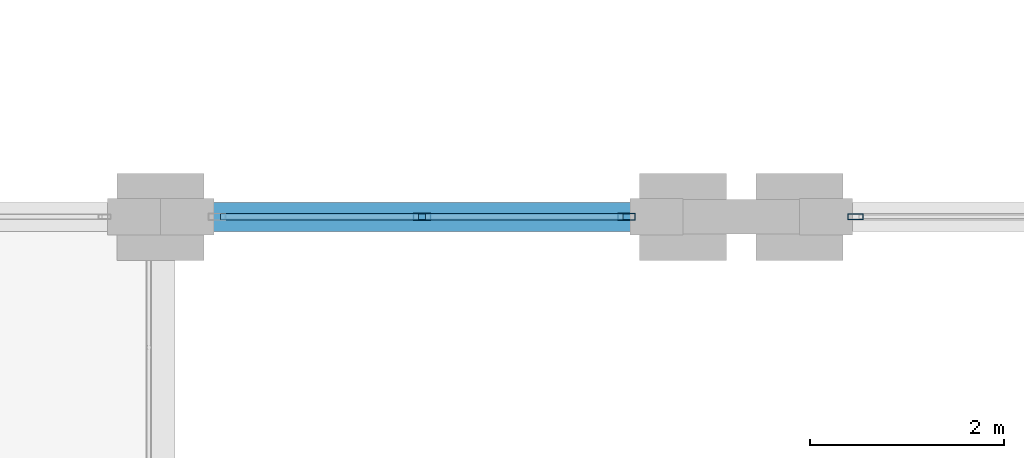
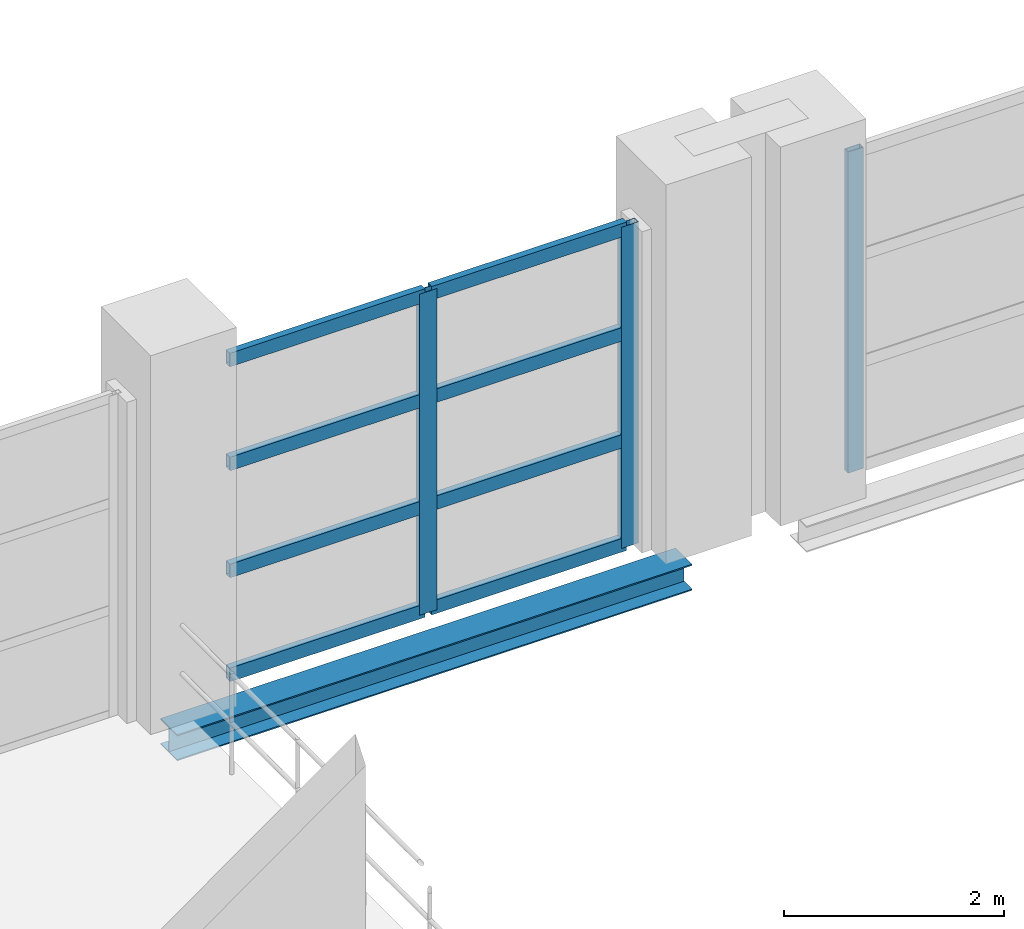
# One storey, part 52 of 158: 11 members, 1 beam, 2 elements without a shape of their own.
"""IFC4 building model written with IfcOpenShell, lengths in metres."""

from ifc_helpers import new_model, si_unit, direction, frame, origin, origin_2d, place, context, subcontext, project, spatial, hollow_rectangle, i_section, extrude, material, layer, layer_set, material_profile, profile_set, type_object, element, aggregate, save


model = new_model("IFC4")

# Units and contexts
model_context = context("Model", 3, precision=1e-05, world=origin(), true_north=direction((0.0, 1.0)))
body_context = subcontext(model_context, "Body", "Model", "MODEL_VIEW")
ifc_project = project(units=[si_unit("LENGTHUNIT", "METRE"), si_unit("AREAUNIT", "SQUARE_METRE"), si_unit("VOLUMEUNIT", "CUBIC_METRE"), si_unit("PLANEANGLEUNIT", "RADIAN"), si_unit("MASSUNIT", "GRAM", prefix="KILO")], contexts=[model_context])

# Site, building, storey
site_placement = place(None, origin())
site = spatial("IfcSite", under=ifc_project, at=site_placement, CompositionType="ELEMENT")
building_placement = place(site_placement, origin())
building = spatial("IfcBuilding", under=site, at=building_placement, Name="Zilviju Railside Exhibition Hall", CompositionType="ELEMENT")
storey_placement = place(building_placement, frame((0.0, 0.0, 4.199951171875)))
storey = spatial("IfcBuildingStorey", under=building, at=storey_placement, Name="L02", CompositionType="ELEMENT", Elevation=4.199951171875)

# Beam
ifc_material_1 = material(Name="Steel S355J2", Category="steel")
ifc_material_profile_1 = material_profile(ifc_material_1, i_section(OverallWidth=0.300048828125, OverallDepth=0.2900390625, WebThickness=0.008544921875, FlangeThickness=0.013916015625, at=origin_2d()), Name="HEA 300")
ifc_profile_set_1 = profile_set([ifc_material_profile_1], Name="Steel S355J2")
beam_type = type_object("IfcBeamType", Name="BM-HEA300", PredefinedType="SPANDREL", material=ifc_profile_set_1)
beam_placement = place(storey_placement, frame((120.0, 54.0, -0.48486328125), z_axis=(1.0, 0.0, 0.0), x_axis=(0.0, 1.0, 0.0)))
element("IfcBeam", 1, at=beam_placement, inside=storey, type_object=beam_type, Name="Primary Girder L02 Y=54.0 (120.0..125.4)", PredefinedType="SPANDREL", context=body_context, shape_type="SweptSolid", body=[
    extrude(i_section(OverallWidth=0.300048828125, OverallDepth=0.2900390625, WebThickness=0.008544921875, FlangeThickness=0.013916015625, at=origin_2d()), origin(), (0.0, 0.0, 1.0), 5.39990234375),
])

# Curtain wall, member
ifc_material_2 = material(Name="Thermally broken aluminium-steel triple-glazed curtain wall", Category="steel")
ifc_layer_1 = layer(ifc_material_2, 0.179931640625)
ifc_layer_set_1 = layer_set([ifc_layer_1], Name="Thermally broken aluminium-steel triple-glazed curtain wall")
curtain_wall_type_1 = type_object("IfcCurtainWallType", Name="CW-BAY-20", PredefinedType="USERDEFINED", material=ifc_layer_set_1)
curtain_wall_1_placement = place(storey_placement, origin())
curtain_wall_1 = element("IfcCurtainWall", 2, at=curtain_wall_1_placement, inside=storey, type_object=curtain_wall_type_1, Name="South Hall Garden Court Curtain Wall L02 (127..132)", ObjectType="GLAZED CURTAIN WALL", PredefinedType="USERDEFINED")
ifc_material_3 = material(Name="Thermally broken anodized aluminium mullion", Category="aluminium")
ifc_material_profile_2 = material_profile(ifc_material_3, hollow_rectangle(XDim=0.06494140625, YDim=0.159912109375, WallThickness=0.0048828125, at=origin_2d()), Name="MULLION 160x65x5")
ifc_profile_set_2 = profile_set([ifc_material_profile_2], Name="Thermally broken anodized aluminium mullion")
member_type_1 = type_object("IfcMemberType", Name="CWM-65x160", PredefinedType="MULLION", material=ifc_profile_set_2)
member_1_placement = place(storey_placement, frame((127.1826171875, 54.0, 0.0), z_axis=(0.0, 0.0, 1.0), x_axis=(0.0, 1.0, 0.0)))
member_1 = element("IfcMember", 3, at=member_1_placement, type_object=member_type_1, Name="CW-20 mullion 1", PredefinedType="MULLION", context=body_context, shape_type="SweptSolid", body=[
    extrude(hollow_rectangle(XDim=0.06494140625, YDim=0.159912109375, WallThickness=0.0048828125, at=origin_2d()), origin(), (0.0, 0.0, 1.0), 3.56005859375),
])
aggregate(curtain_wall_1, [member_1])

# Curtain wall, members
ifc_layer_2 = layer(ifc_material_2, 0.179931640625)
ifc_layer_set_2 = layer_set([ifc_layer_2], Name="Thermally broken aluminium-steel triple-glazed curtain wall")
curtain_wall_type_2 = type_object("IfcCurtainWallType", Name="CW-BAY-19", PredefinedType="USERDEFINED", material=ifc_layer_set_2)
curtain_wall_2_placement = place(storey_placement, origin())
curtain_wall_2 = element("IfcCurtainWall", 4, at=curtain_wall_2_placement, inside=storey, type_object=curtain_wall_type_2, Name="South Hall Garden Court Curtain Wall L02 (120..125)", ObjectType="GLAZED CURTAIN WALL", PredefinedType="USERDEFINED")
ifc_material_profile_3 = material_profile(ifc_material_3, hollow_rectangle(XDim=0.070068359375, YDim=0.179931640625, WallThickness=0.0048828125, at=origin_2d()), Name="MULLION 180x70x5")
ifc_profile_set_3 = profile_set([ifc_material_profile_3], Name="Thermally broken anodized aluminium mullion")
member_type_2 = type_object("IfcMemberType", Name="CWM-70x180", PredefinedType="MULLION", material=ifc_profile_set_3)
member_2_placement = place(storey_placement, frame((122.699951171875, 54.0, 0.0), z_axis=(0.0, 0.0, 1.0), x_axis=(0.0, 1.0, 0.0)))
member_2 = element("IfcMember", 5, at=member_2_placement, type_object=member_type_2, Name="CW-19 mullion 2", PredefinedType="MULLION", context=body_context, shape_type="SweptSolid", body=[
    extrude(hollow_rectangle(XDim=0.070068359375, YDim=0.179931640625, WallThickness=0.0048828125, at=origin_2d()), origin(), (0.0, 0.0, 1.0), 3.56005859375),
])
member_3_placement = place(storey_placement, frame((124.81494140625, 54.0, 0.0), z_axis=(0.0, 0.0, 1.0), x_axis=(0.0, 1.0, 0.0)))
member_3 = element("IfcMember", 6, at=member_3_placement, type_object=member_type_2, Name="CW-19 mullion 3", PredefinedType="MULLION", context=body_context, shape_type="SweptSolid", body=[
    extrude(hollow_rectangle(XDim=0.070068359375, YDim=0.179931640625, WallThickness=0.0048828125, at=origin_2d()), origin(), (0.0, 0.0, 1.0), 3.56005859375),
])
ifc_material_4 = material(Name="Thermally broken anodized aluminium transom", Category="aluminium")
ifc_material_profile_4 = material_profile(ifc_material_4, hollow_rectangle(XDim=0.070068359375, YDim=0.14990234375, WallThickness=0.0048828125, at=origin_2d()), Name="TRANSOM 150x70x5")
ifc_profile_set_4 = profile_set([ifc_material_profile_4], Name="Thermally broken anodized aluminium transom")
member_type_3 = type_object("IfcMemberType", Name="CWT-70x150", PredefinedType="USERDEFINED", material=ifc_profile_set_4)
member_4_placement = place(storey_placement, frame((120.6201171875, 54.0, 0.03515625), z_axis=(1.0, 0.0, 0.0), x_axis=(0.0, 1.0, 0.0)))
member_4 = element("IfcMember", 7, at=member_4_placement, type_object=member_type_3, Name="CW-19 transom 1.1", ObjectType="TRANSOM", PredefinedType="USERDEFINED", context=body_context, shape_type="SweptSolid", body=[
    extrude(hollow_rectangle(XDim=0.070068359375, YDim=0.14990234375, WallThickness=0.0048828125, at=origin_2d()), origin(), (0.0, 0.0, 1.0), 2.044921875),
])
member_5_placement = place(storey_placement, frame((120.6201171875, 54.0, 1.18701171875), z_axis=(1.0, 0.0, 0.0), x_axis=(0.0, 1.0, 0.0)))
member_5 = element("IfcMember", 8, at=member_5_placement, type_object=member_type_3, Name="CW-19 transom 1.2", ObjectType="TRANSOM", PredefinedType="USERDEFINED", context=body_context, shape_type="SweptSolid", body=[
    extrude(hollow_rectangle(XDim=0.070068359375, YDim=0.14990234375, WallThickness=0.0048828125, at=origin_2d()), origin(), (0.0, 0.0, 1.0), 2.044921875),
])
member_6_placement = place(storey_placement, frame((120.6201171875, 54.0, 2.373046875), z_axis=(1.0, 0.0, 0.0), x_axis=(0.0, 1.0, 0.0)))
member_6 = element("IfcMember", 9, at=member_6_placement, type_object=member_type_3, Name="CW-19 transom 1.3", ObjectType="TRANSOM", PredefinedType="USERDEFINED", context=body_context, shape_type="SweptSolid", body=[
    extrude(hollow_rectangle(XDim=0.070068359375, YDim=0.14990234375, WallThickness=0.0048828125, at=origin_2d()), origin(), (0.0, 0.0, 1.0), 2.044921875),
])
member_7_placement = place(storey_placement, frame((120.6201171875, 54.0, 3.525146484375), z_axis=(1.0, 0.0, 0.0), x_axis=(0.0, 1.0, 0.0)))
member_7 = element("IfcMember", 10, at=member_7_placement, type_object=member_type_3, Name="CW-19 transom 1.4", ObjectType="TRANSOM", PredefinedType="USERDEFINED", context=body_context, shape_type="SweptSolid", body=[
    extrude(hollow_rectangle(XDim=0.070068359375, YDim=0.14990234375, WallThickness=0.0048828125, at=origin_2d()), origin(), (0.0, 0.0, 1.0), 2.044921875),
])
member_8_placement = place(storey_placement, frame((122.735107421875, 54.0, 0.03515625), z_axis=(1.0, 0.0, 0.0), x_axis=(0.0, 1.0, 0.0)))
member_8 = element("IfcMember", 11, at=member_8_placement, type_object=member_type_3, Name="CW-19 transom 2.1", ObjectType="TRANSOM", PredefinedType="USERDEFINED", context=body_context, shape_type="SweptSolid", body=[
    extrude(hollow_rectangle(XDim=0.070068359375, YDim=0.14990234375, WallThickness=0.0048828125, at=origin_2d()), origin(), (0.0, 0.0, 1.0), 2.044921875),
])
member_9_placement = place(storey_placement, frame((122.735107421875, 54.0, 1.18701171875), z_axis=(1.0, 0.0, 0.0), x_axis=(0.0, 1.0, 0.0)))
member_9 = element("IfcMember", 12, at=member_9_placement, type_object=member_type_3, Name="CW-19 transom 2.2", ObjectType="TRANSOM", PredefinedType="USERDEFINED", context=body_context, shape_type="SweptSolid", body=[
    extrude(hollow_rectangle(XDim=0.070068359375, YDim=0.14990234375, WallThickness=0.0048828125, at=origin_2d()), origin(), (0.0, 0.0, 1.0), 2.044921875),
])
member_10_placement = place(storey_placement, frame((122.735107421875, 54.0, 2.373046875), z_axis=(1.0, 0.0, 0.0), x_axis=(0.0, 1.0, 0.0)))
member_10 = element("IfcMember", 13, at=member_10_placement, type_object=member_type_3, Name="CW-19 transom 2.3", ObjectType="TRANSOM", PredefinedType="USERDEFINED", context=body_context, shape_type="SweptSolid", body=[
    extrude(hollow_rectangle(XDim=0.070068359375, YDim=0.14990234375, WallThickness=0.0048828125, at=origin_2d()), origin(), (0.0, 0.0, 1.0), 2.044921875),
])
member_11_placement = place(storey_placement, frame((122.735107421875, 54.0, 3.525146484375), z_axis=(1.0, 0.0, 0.0), x_axis=(0.0, 1.0, 0.0)))
member_11 = element("IfcMember", 14, at=member_11_placement, type_object=member_type_3, Name="CW-19 transom 2.4", ObjectType="TRANSOM", PredefinedType="USERDEFINED", context=body_context, shape_type="SweptSolid", body=[
    extrude(hollow_rectangle(XDim=0.070068359375, YDim=0.14990234375, WallThickness=0.0048828125, at=origin_2d()), origin(), (0.0, 0.0, 1.0), 2.044921875),
])
aggregate(curtain_wall_2, [member_2, member_3, member_4, member_5, member_6, member_7, member_8, member_9, member_10, member_11])

save(model, "model.ifc")
